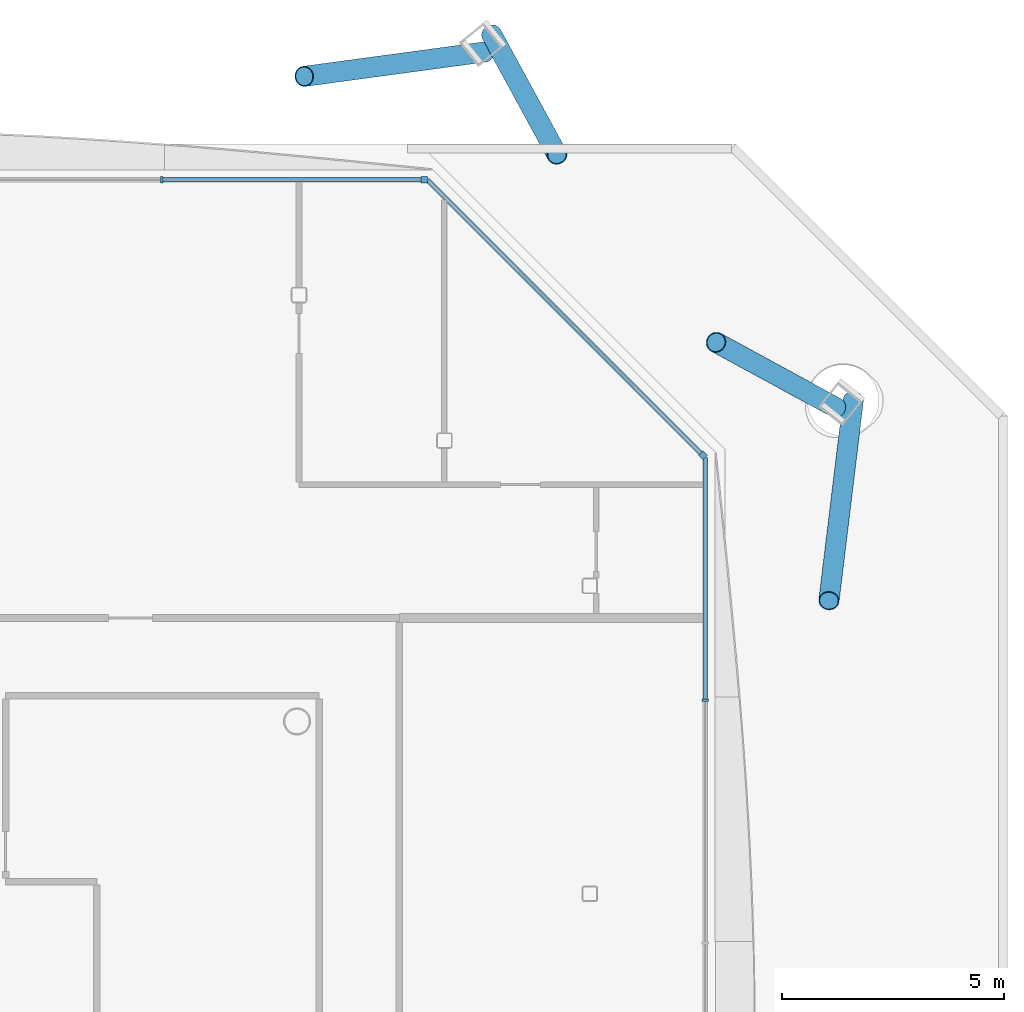
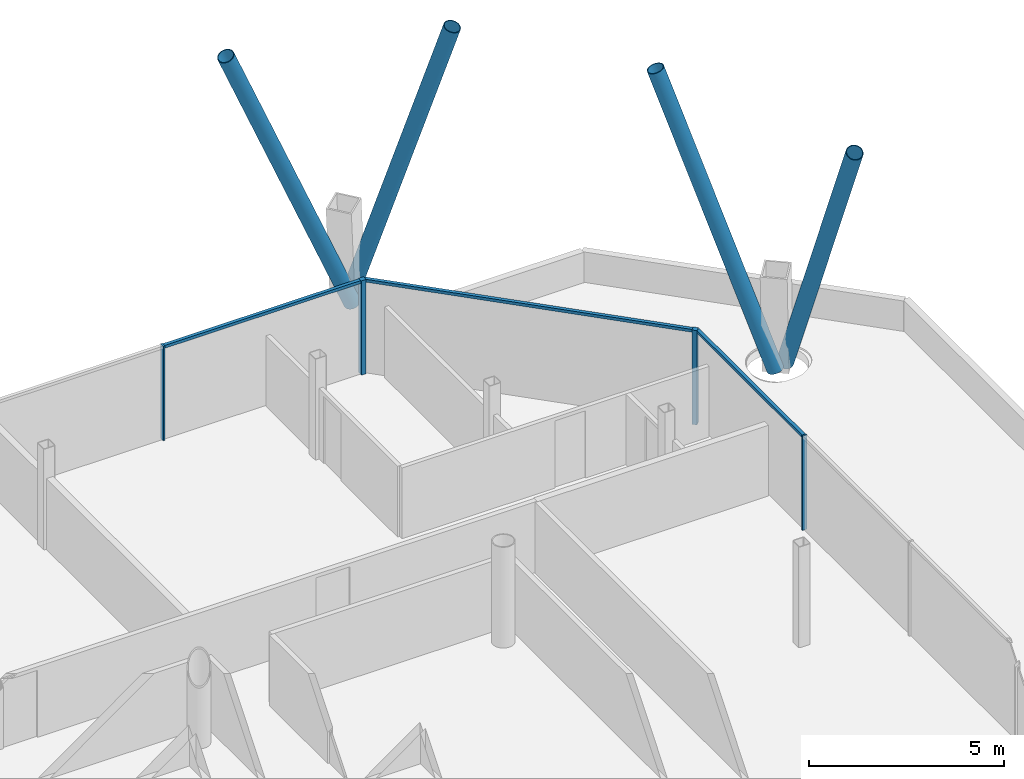
# One storey, part 11 of 21: 11 members, 3 elements without a shape of their own.
"""IFC4 building model written with IfcOpenShell, lengths in metres."""

from ifc_helpers import new_model, si_unit, direction, frame, origin, origin_2d, place, context, subcontext, project, spatial, rectangle, hollow_circle, extrude, material, material_profile, profile_set, type_object, element, aggregate, save


model = new_model("IFC4")

# Units and contexts
model_context = context("Model", 3, precision=1e-05, world=origin(), true_north=direction((0.0, 1.0)))
body_context = subcontext(model_context, "Body", "Model", "MODEL_VIEW")
ifc_project = project(units=[si_unit("LENGTHUNIT", "METRE"), si_unit("AREAUNIT", "SQUARE_METRE"), si_unit("VOLUMEUNIT", "CUBIC_METRE"), si_unit("PLANEANGLEUNIT", "RADIAN"), si_unit("MASSUNIT", "GRAM", prefix="KILO")], contexts=[model_context])

# Site, building, storey
site_placement = place(None, origin())
site = spatial("IfcSite", under=ifc_project, at=site_placement, CompositionType="ELEMENT")
building_placement = place(site_placement, origin())
building = spatial("IfcBuilding", under=site, at=building_placement, Name="Tskaro Facet Tower", CompositionType="ELEMENT")
storey_placement = place(building_placement, frame((0.0, 0.0, 172.199951171875)))
storey = spatial("IfcBuildingStorey", under=building, at=storey_placement, Name="L42", CompositionType="ELEMENT", Elevation=172.199951171875)

# Members
ifc_material_1 = material(Name="Steel S355J2H", Category="steel")
ifc_material_profile_1 = material_profile(ifc_material_1, hollow_circle(Radius=0.228515625, WallThickness=0.02001953125, at=origin_2d()), Name="CHS 457x20")
ifc_profile_set_1 = profile_set([ifc_material_profile_1], Name="Steel S355J2H")
member_type_1 = type_object("IfcMemberType", Name="CHS 457x20 brace", PredefinedType="BRACE", material=ifc_profile_set_1)
member_1_placement = place(storey_placement, frame((21.50439453125, 16.216064453125, 0.0), z_axis=(-0.052242906414, -0.429519142743, 0.901545331498), x_axis=(0.992684007914, -0.120741295469, 0.0)))
element("IfcMember", 1, at=member_1_placement, inside=storey, type_object=member_type_1, Name="CHS 457x20 XB05B/4", PredefinedType="BRACE", context=body_context, shape_type="SweptSolid", body=[
    extrude(hollow_circle(Radius=0.228515625, WallThickness=0.02001953125, at=origin_2d()), origin(), (0.0, 0.0, 1.0), 10.48193359375),
])
for number, where, z_axis, x_axis, name in (
    (2, (21.114501953125, 16.054443359375, 0.0), (-0.27122854255, 0.147679248118, 0.951118245741), (-0.478194179613, -0.878254135535, 0.0), "CHS 457x20 XB06A/4"),
    (3, (13.377685546875, 24.4375, 0.0), (0.147656195683, -0.271206761816, 0.951128035662), (0.878269358294, 0.478166220349, 0.0), "CHS 457x20 XB06B/4"),
):
    element("IfcMember", number, at=place(storey_placement, frame(where, z_axis=z_axis, x_axis=x_axis)), inside=storey, type_object=member_type_1, Name=name, PredefinedType="BRACE", context=body_context, shape_type="SweptSolid", body=[
        extrude(hollow_circle(Radius=0.228515625, WallThickness=0.02001953125, at=origin_2d()), origin(), (0.0, 0.0, 1.0), 9.935546875),
    ])
member_2_placement = place(storey_placement, frame((13.216064453125, 24.047607421875, 0.0), z_axis=(-0.393687576676, -0.053202946225, 0.91770340442), x_axis=(0.133922648163, -0.990991788215, 0.0)))
element("IfcMember", 4, at=member_2_placement, inside=storey, type_object=member_type_1, Name="CHS 457x20 XB07A/4", PredefinedType="BRACE", context=body_context, shape_type="SweptSolid", body=[
    extrude(hollow_circle(Radius=0.228515625, WallThickness=0.02001953125, at=origin_2d()), origin(), (0.0, 0.0, 1.0), 10.29736328125),
])

# Curtain wall, member
ifc_material_2 = material(Name="Bronze anodised aluminium 6063-T6", Category="aluminium")
curtain_wall_type = type_object("IfcCurtainWallType", Name="Bronze residence curtain wall (FW3)", PredefinedType="NOTDEFINED", material=ifc_material_2)
curtain_wall_1_placement = place(storey_placement, origin())
curtain_wall_1 = element("IfcCurtainWall", 5, at=curtain_wall_1_placement, inside=storey, type_object=curtain_wall_type, Name="FW3 north-east facet L42", PredefinedType="NOTDEFINED")
ifc_material_profile_2 = material_profile(ifc_material_2, rectangle(XDim=0.139892578125, YDim=0.139892578125, at=origin_2d()), Name="Corner post 140x140")
ifc_profile_set_2 = profile_set([ifc_material_profile_2], Name="Bronze anodised aluminium 6063-T6")
member_type_2 = type_object("IfcMemberType", Name="FW3 bronze corner post 140x140", PredefinedType="MULLION", material=ifc_profile_set_2)
member_3_placement = place(storey_placement, frame((18.12646484375, 14.98046875, 0.0), z_axis=(0.0, 0.0, 1.0), x_axis=(-0.707106781187, 0.707106781187, 0.0)))
member_3 = element("IfcMember", 6, at=member_3_placement, type_object=member_type_2, Name="FW3 north-east corner post", PredefinedType="MULLION", context=body_context, shape_type="SweptSolid", body=[
    extrude(rectangle(XDim=0.139892578125, YDim=0.139892578125, at=origin_2d()), origin(), (0.0, 0.0, 1.0), 2.949951171875),
])

curtain_wall_2_placement = place(storey_placement, origin())
curtain_wall_2 = element("IfcCurtainWall", 7, at=curtain_wall_2_placement, inside=storey, type_object=curtain_wall_type, Name="FW3 north facet L42", PredefinedType="NOTDEFINED")
member_4_placement = place(storey_placement, frame((11.861083984375, 21.176025390625, 0.0), z_axis=(0.0, 0.0, 1.0), x_axis=(-1.0, 0.0, 0.0)))
member_4 = element("IfcMember", 8, at=member_4_placement, type_object=member_type_2, Name="FW3 north corner post", PredefinedType="MULLION", context=body_context, shape_type="SweptSolid", body=[
    extrude(rectangle(XDim=0.139892578125, YDim=0.139892578125, at=origin_2d()), origin(), (0.0, 0.0, 1.0), 2.949951171875),
])

curtain_wall_3_placement = place(storey_placement, origin())
curtain_wall_3 = element("IfcCurtainWall", 9, at=curtain_wall_3_placement, inside=storey, type_object=curtain_wall_type, Name="FW3 east facet L42", PredefinedType="NOTDEFINED")
ifc_material_profile_3 = material_profile(ifc_material_2, rectangle(XDim=0.050048828125, YDim=0.139892578125, at=origin_2d()), Name="Mullion 50x140")
ifc_profile_set_3 = profile_set([ifc_material_profile_3], Name="Bronze anodised aluminium 6063-T6")
member_type_3 = type_object("IfcMemberType", Name="FW3 bronze mullion 50x140", PredefinedType="MULLION", material=ifc_profile_set_3)
member_5_placement = place(storey_placement, frame((18.176025390625, 9.475830078125, 0.0), z_axis=(0.0, 0.0, 1.0), x_axis=(0.0, 1.0, 0.0)))
member_5 = element("IfcMember", 10, at=member_5_placement, type_object=member_type_3, Name="FW3 east mullion 5", PredefinedType="MULLION", context=body_context, shape_type="SweptSolid", body=[
    extrude(rectangle(XDim=0.050048828125, YDim=0.139892578125, at=origin_2d()), origin(), (0.0, 0.0, 1.0), 2.949951171875),
])

# Member
member_6_placement = place(storey_placement, frame((5.95849609375, 21.176025390625, 0.0), z_axis=(0.0, 0.0, 1.0), x_axis=(-1.0, 0.0, 0.0)))
member_6 = element("IfcMember", 11, at=member_6_placement, type_object=member_type_3, Name="FW3 north mullion 1", PredefinedType="MULLION", context=body_context, shape_type="SweptSolid", body=[
    extrude(rectangle(XDim=0.050048828125, YDim=0.139892578125, at=origin_2d()), origin(), (0.0, 0.0, 1.0), 2.949951171875),
])

ifc_material_profile_4 = material_profile(ifc_material_2, rectangle(XDim=0.10009765625, YDim=0.090087890625, at=origin_2d()), Name="Transom 100x90")
ifc_profile_set_4 = profile_set([ifc_material_profile_4], Name="Bronze anodised aluminium 6063-T6")
member_type_4 = type_object("IfcMemberType", Name="FW3 bronze transom 100x90", PredefinedType="USERDEFINED", material=ifc_profile_set_4)
member_7_placement = place(storey_placement, frame((18.176025390625, 9.500732421875, 2.905029296875), z_axis=(0.0, 1.0, 0.0), x_axis=(-1.0, 0.0, 0.0)))
member_7 = element("IfcMember", 12, at=member_7_placement, type_object=member_type_4, Name="FW3 east transom 6.1", ObjectType="TRANSOM", PredefinedType="USERDEFINED", context=body_context, shape_type="SweptSolid", body=[
    extrude(rectangle(XDim=0.10009765625, YDim=0.090087890625, at=origin_2d()), origin(), (0.0, 0.0, 1.0), 5.43017578125),
])

aggregate(curtain_wall_3, [member_5, member_7])

member_8_placement = place(storey_placement, frame((18.076904296875, 15.030029296875, 2.905029296875), z_axis=(-0.707106781187, 0.707106781187, 0.0), x_axis=(-0.707106781187, -0.707106781187, 0.0)))
member_8 = element("IfcMember", 13, at=member_8_placement, type_object=member_type_4, Name="FW3 north-east transom 1.1", ObjectType="TRANSOM", PredefinedType="USERDEFINED", context=body_context, shape_type="SweptSolid", body=[
    extrude(rectangle(XDim=0.10009765625, YDim=0.090087890625, at=origin_2d()), origin(), (0.0, 0.0, 1.0), 8.691650390625),
])

aggregate(curtain_wall_1, [member_3, member_8])

member_9_placement = place(storey_placement, frame((11.791015625, 21.176025390625, 2.905029296875), z_axis=(-1.0, 0.0, 0.0), x_axis=(0.0, -1.0, 0.0)))
member_9 = element("IfcMember", 14, at=member_9_placement, type_object=member_type_4, Name="FW3 north transom 1.1", ObjectType="TRANSOM", PredefinedType="USERDEFINED", context=body_context, shape_type="SweptSolid", body=[
    extrude(rectangle(XDim=0.10009765625, YDim=0.090087890625, at=origin_2d()), origin(), (0.0, 0.0, 1.0), 5.807373046875),
])

aggregate(curtain_wall_2, [member_4, member_6, member_9])

save(model, "model.ifc")
